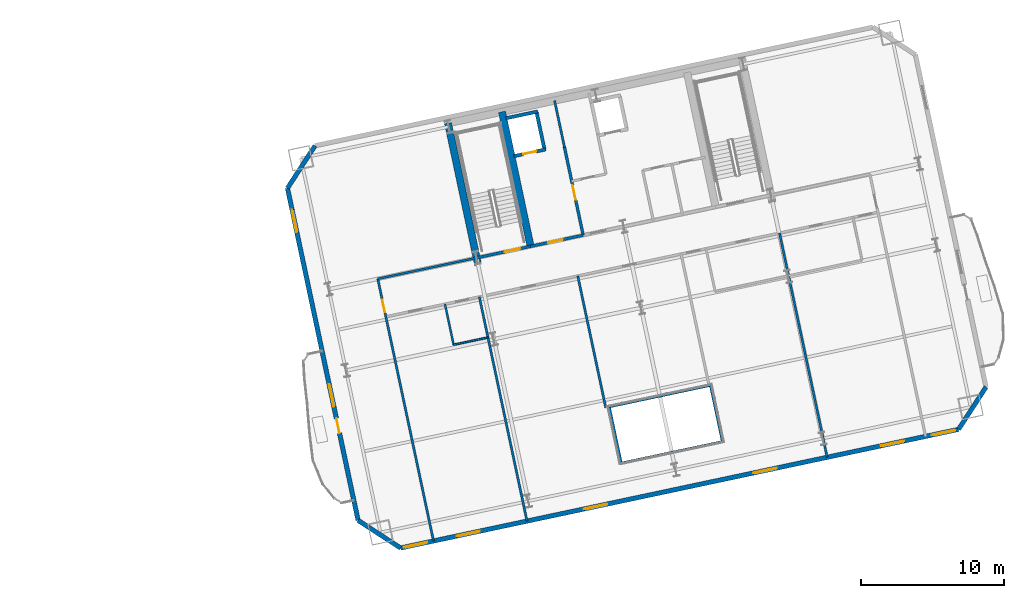
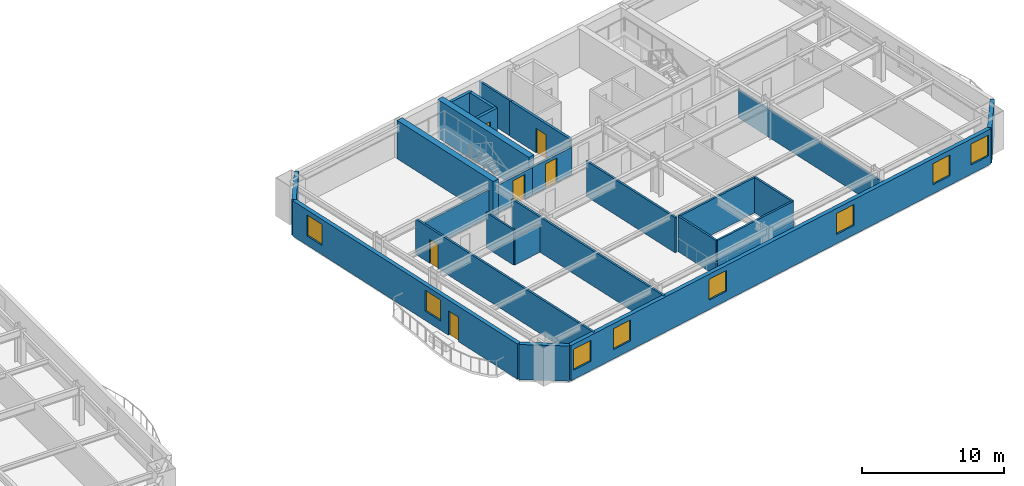
# One storey, part 7 of 14: 25 walls, 8 windows, 6 doors, 14 openings.
"""IFC4 building model written with IfcOpenShell, lengths in metres."""

from ifc_helpers import new_model, si_unit, direction, frame, frame_2d, origin, place, context, subcontext, project, spatial, rectangle, extrude, material, layer, layer_set, type_object, element, fill, save


model = new_model("IFC4")

# Units and contexts
model_context = context("Model", 3, precision=1e-05, world=origin(), true_north=direction((0.0, 1.0)))
body_context = subcontext(model_context, "Body", "Model", "MODEL_VIEW")
ifc_project = project(units=[si_unit("LENGTHUNIT", "METRE"), si_unit("AREAUNIT", "SQUARE_METRE"), si_unit("VOLUMEUNIT", "CUBIC_METRE"), si_unit("PLANEANGLEUNIT", "RADIAN"), si_unit("MASSUNIT", "GRAM", prefix="KILO")], contexts=[model_context])

# Site, building, storey
site_placement = place(None, origin())
site = spatial("IfcSite", under=ifc_project, at=site_placement, CompositionType="ELEMENT")
building_placement = place(site_placement, origin())
building = spatial("IfcBuilding", under=site, at=building_placement, Name="Haevon Station Towers", CompositionType="ELEMENT")
storey_placement = place(building_placement, frame((0.0, 0.0, 86.699951171875)))
storey = spatial("IfcBuildingStorey", under=building, at=storey_placement, Name="L22", CompositionType="ELEMENT", Elevation=86.699951171875)

# Wall, opening, door
ifc_material_1 = material(Name="Gypsum board on steel stud", Category="steel")
ifc_layer_1 = layer(ifc_material_1, 0.199951171875)
ifc_layer_set_1 = layer_set([ifc_layer_1], Name="Gypsum board on steel stud")
wall_type_1 = type_object("IfcWallType", Name="WL-COR200", PredefinedType="PARTITIONING", material=ifc_layer_set_1)
wall_1_placement = place(storey_placement, frame((98.75244140625, 37.4423828125, 0.0), z_axis=(0.0, 0.0, 1.0), x_axis=(0.978143537786, 0.207930804564, 0.0)))
wall_1 = element("IfcWall", 1, at=wall_1_placement, inside=storey, type_object=wall_type_1, Name="WL-ST-ST3-L22", PredefinedType="PARTITIONING", context=body_context, shape_type="SweptSolid", body=[
    extrude(rectangle(XDim=3.85009765625, YDim=0.199951171875, at=frame_2d((1.925048828125, 0.0))), origin(), (0.0, 0.0, 1.0), 2.380126953125),
])
opening_1_placement = place(wall_1_placement, frame((2.0, 0.0, 0.0)))
opening_1 = element("IfcOpeningElement", 2, at=opening_1_placement, cuts=wall_1, Name="Opening DR-ST-ST3-L22", PredefinedType="OPENING", context=body_context, shape_type="SweptSolid", body=[
    extrude(rectangle(XDim=1.1201171875, YDim=2.10009765625, at=frame_2d((0.56005859375, 1.050048828125))), frame((0.0, 0.10986328125, 0.0), z_axis=(0.0, -1.0, 0.0), x_axis=(1.0, 0.0, 0.0)), (0.0, 0.0, 1.0), 0.219970703125),
])
ifc_material_2 = material(Name="Engineered oak timber", Category="wood")
door_type_1 = type_object("IfcDoorType", Name="DR-ST-1120", OperationType="NOTDEFINED", PredefinedType="DOOR", material=ifc_material_2)
door_1_placement = place(opening_1_placement, origin())
door_1 = element("IfcDoor", 3, at=door_1_placement, inside=storey, type_object=door_type_1, Name="L22 Escape Stair ST3 Fire Door", OperationType="SINGLE_SWING_RIGHT", OverallHeight=2.10009765625, OverallWidth=1.1201171875, PredefinedType="DOOR", context=body_context, shape_type="SweptSolid", body=[
    extrude(rectangle(XDim=1.1201171875, YDim=2.10009765625, at=frame_2d((0.56005859375, 1.050048828125))), frame((0.0, 0.02490234375, 0.0), z_axis=(0.0, -1.0, 0.0), x_axis=(1.0, 0.0, 0.0)), (0.0, 0.0, 1.0), 0.050048828125),
])
fill(opening_1, door_1)

wall_2_placement = place(storey_placement, frame((106.186279296875, 39.0224609375, 0.0), z_axis=(0.0, 0.0, 1.0), x_axis=(-0.207916691923, 0.978146537703, 0.0)))
wall_2 = element("IfcWall", 4, at=wall_2_placement, inside=storey, type_object=wall_type_1, Name="WL-T2FFL-L22-E", PredefinedType="PARTITIONING", context=body_context, shape_type="SweptSolid", body=[
    extrude(rectangle(XDim=6.35009765625, YDim=0.199951171875, at=frame_2d((3.175048828125, 0.0))), origin(), (0.0, 0.0, 1.0), 3.030029296875),
])
opening_2_placement = place(wall_2_placement, frame((2.52001953125, 0.0, 0.0)))
opening_2 = element("IfcOpeningElement", 5, at=opening_2_placement, cuts=wall_2, Name="Opening DR-T2FFL-L22-E", PredefinedType="OPENING", context=body_context, shape_type="SweptSolid", body=[
    extrude(rectangle(XDim=1.050048828125, YDim=2.10009765625, at=frame_2d((0.52490234375, 1.050048828125))), frame((0.0, 0.10986328125, 0.0), z_axis=(0.0, -1.0, 0.0), x_axis=(1.0, 0.0, 0.0)), (0.0, 0.0, 1.0), 0.219970703125),
])
door_type_2 = type_object("IfcDoorType", Name="DR-FD60-1050", OperationType="NOTDEFINED", PredefinedType="DOOR", material=ifc_material_2)
door_2_placement = place(opening_2_placement, origin())
door_2 = element("IfcDoor", 6, at=door_2_placement, inside=storey, type_object=door_type_2, Name="L22 Tower 2 Firefighting Lift Lobby Door E", OperationType="SINGLE_SWING_RIGHT", OverallHeight=2.10009765625, OverallWidth=1.050048828125, PredefinedType="DOOR", context=body_context, shape_type="SweptSolid", body=[
    extrude(rectangle(XDim=1.050048828125, YDim=2.10009765625, at=frame_2d((0.52490234375, 1.050048828125))), frame((0.0, 0.02490234375, 0.0), z_axis=(0.0, -1.0, 0.0), x_axis=(1.0, 0.0, 0.0)), (0.0, 0.0, 1.0), 0.050048828125),
])
fill(opening_2, door_2)

wall_3_placement = place(storey_placement, frame((102.518310546875, 38.242919921875, 0.0), z_axis=(0.0, 0.0, 1.0), x_axis=(0.978153555683, 0.20788367301, 0.0)))
wall_3 = element("IfcWall", 7, at=wall_3_placement, inside=storey, type_object=wall_type_1, Name="WL-T2FFL-L22-S", PredefinedType="PARTITIONING", context=body_context, shape_type="SweptSolid", body=[
    extrude(rectangle(XDim=3.75, YDim=0.199951171875, at=frame_2d((1.875, 0.0))), origin(), (0.0, 0.0, 1.0), 2.380126953125),
])
opening_3_placement = place(wall_3_placement, frame((1.25, 0.0, 0.0)))
opening_3 = element("IfcOpeningElement", 8, at=opening_3_placement, cuts=wall_3, Name="Opening DR-T2FFL-L22-S", PredefinedType="OPENING", context=body_context, shape_type="SweptSolid", body=[
    extrude(rectangle(XDim=1.050048828125, YDim=2.10009765625, at=frame_2d((0.52490234375, 1.050048828125))), frame((0.0, 0.10986328125, 0.0), z_axis=(0.0, -1.0, 0.0), x_axis=(1.0, 0.0, 0.0)), (0.0, 0.0, 1.0), 0.219970703125),
])
door_3_placement = place(opening_3_placement, origin())
door_3 = element("IfcDoor", 9, at=door_3_placement, inside=storey, type_object=door_type_2, Name="L22 Tower 2 Firefighting Lift Lobby Door S", OperationType="SINGLE_SWING_LEFT", OverallHeight=2.10009765625, OverallWidth=1.050048828125, PredefinedType="DOOR", context=body_context, shape_type="SweptSolid", body=[
    extrude(rectangle(XDim=1.050048828125, YDim=2.10009765625, at=frame_2d((0.52490234375, 1.050048828125))), frame((0.0, 0.02490234375, 0.0), z_axis=(0.0, -1.0, 0.0), x_axis=(1.0, 0.0, 0.0)), (0.0, 0.0, 1.0), 0.050048828125),
])
fill(opening_3, door_3)

# Walls
ifc_material_3 = material(Name="Concrete C60/75", Category="concrete")
ifc_layer_2 = layer(ifc_material_3, 0.5)
ifc_layer_set_2 = layer_set([ifc_layer_2], Name="Concrete C60/75")
wall_type_2 = type_object("IfcWallType", Name="WL-CR500", PredefinedType="SHEAR", material=ifc_layer_set_2)
wall_4_placement = place(storey_placement, frame((98.8603515625, 36.933837890625, 0.0), z_axis=(0.0, 0.0, 1.0), x_axis=(-0.20790924889, 0.978148119778, 0.0)))
element("IfcWall", 10, at=wall_4_placement, inside=storey, type_object=wall_type_2, Name="WL-T2CR-L22-W", PredefinedType="SHEAR", context=body_context, shape_type="SweptSolid", body=[
    extrude(rectangle(XDim=10.119873046875, YDim=0.5, at=frame_2d((5.06005859375, 0.0))), origin(), (0.0, 0.0, 1.0), 3.300048828125),
])
wall_5_placement = place(storey_placement, frame((102.518310546875, 38.242919921875, 0.0), z_axis=(0.0, 0.0, 1.0), x_axis=(-0.207927495108, 0.978144241295, 0.0)))
element("IfcWall", 11, at=wall_5_placement, inside=storey, type_object=wall_type_2, Name="WL-T2CR-L22-M1", PredefinedType="SHEAR", context=body_context, shape_type="SweptSolid", body=[
    extrude(rectangle(XDim=9.599853515625, YDim=0.5, at=frame_2d((4.7998046875, 0.0))), origin(), (0.0, 0.0, 1.0), 3.300048828125),
])

# Wall, openings, windows
ifc_material_4 = material(Name="Precast concrete C45/55", Category="concrete")
ifc_layer_3 = layer(ifc_material_4, 0.320068359375)
ifc_layer_set_3 = layer_set([ifc_layer_3], Name="Precast concrete C45/55")
wall_type_3 = type_object("IfcWallType", Name="WL-EXT-PIER320", PredefinedType="SOLIDWALL", material=ifc_layer_set_3)
wall_6_placement = place(storey_placement, frame((132.3759765625, 25.4716796875, 0.0), z_axis=(0.0, 0.0, 1.0), x_axis=(-0.978147406386, -0.20791260515, 0.0)))
wall_6 = element("IfcWall", 12, at=wall_6_placement, inside=storey, type_object=wall_type_3, Name="WL-T2-L22-S", PredefinedType="SOLIDWALL", context=body_context, shape_type="SweptSolid", body=[
    extrude(rectangle(XDim=39.7998046875, YDim=0.320068359375, at=frame_2d((19.89990234375, 0.0))), origin(), (0.0, 0.0, 1.0), 3.030029296875),
])
opening_4_placement = place(wall_6_placement, frame((37.89990234375, 0.0, 0.800048828125)))
opening_4 = element("IfcOpeningElement", 13, at=opening_4_placement, cuts=wall_6, Name="Opening WN-P165", PredefinedType="OPENING", context=body_context, shape_type="SweptSolid", body=[
    extrude(rectangle(XDim=1.64990234375, YDim=1.800048828125, at=frame_2d((0.824951171875, 0.89990234375))), frame((0.0, 0.169921875, 0.0), z_axis=(0.0, -1.0, 0.0), x_axis=(1.0, 0.0, 0.0)), (0.0, 0.0, 1.0), 0.340087890625),
])
opening_5_placement = place(wall_6_placement, frame((0.25, 0.0, 0.800048828125)))
opening_5 = element("IfcOpeningElement", 14, at=opening_5_placement, cuts=wall_6, Name="Opening WN-P165", PredefinedType="OPENING", context=body_context, shape_type="SweptSolid", body=[
    extrude(rectangle(XDim=1.64990234375, YDim=1.800048828125, at=frame_2d((0.824951171875, 0.89990234375))), frame((0.0, 0.169921875, 0.0), z_axis=(0.0, -1.0, 0.0), x_axis=(1.0, 0.0, 0.0)), (0.0, 0.0, 1.0), 0.340087890625),
])
opening_6_placement = place(wall_6_placement, frame((34.142333984375, 0.0, 0.800048828125)))
opening_6 = element("IfcOpeningElement", 15, at=opening_6_placement, cuts=wall_6, Name="Opening WN-P165", PredefinedType="OPENING", context=body_context, shape_type="SweptSolid", body=[
    extrude(rectangle(XDim=1.64990234375, YDim=1.800048828125, at=frame_2d((0.824951171875, 0.89990234375))), frame((0.0, 0.169921875, 0.0), z_axis=(0.0, -1.0, 0.0), x_axis=(1.0, 0.0, 0.0)), (0.0, 0.0, 1.0), 0.340087890625),
])
opening_7_placement = place(wall_6_placement, frame((25.06298828125, 0.0, 0.800048828125)))
opening_7 = element("IfcOpeningElement", 16, at=opening_7_placement, cuts=wall_6, Name="Opening WN-P165", PredefinedType="OPENING", context=body_context, shape_type="SweptSolid", body=[
    extrude(rectangle(XDim=1.64990234375, YDim=1.800048828125, at=frame_2d((0.824951171875, 0.89990234375))), frame((0.0, 0.169921875, 0.0), z_axis=(0.0, -1.0, 0.0), x_axis=(1.0, 0.0, 0.0)), (0.0, 0.0, 1.0), 0.340087890625),
])
opening_8_placement = place(wall_6_placement, frame((12.97705078125, 0.0, 0.800048828125)))
opening_8 = element("IfcOpeningElement", 17, at=opening_8_placement, cuts=wall_6, Name="Opening WN-P165", PredefinedType="OPENING", context=body_context, shape_type="SweptSolid", body=[
    extrude(rectangle(XDim=1.64990234375, YDim=1.800048828125, at=frame_2d((0.824951171875, 0.89990234375))), frame((0.0, 0.169921875, 0.0), z_axis=(0.0, -1.0, 0.0), x_axis=(1.0, 0.0, 0.0)), (0.0, 0.0, 1.0), 0.340087890625),
])
opening_9_placement = place(wall_6_placement, frame((3.882568359375, 0.0, 0.800048828125)))
opening_9 = element("IfcOpeningElement", 18, at=opening_9_placement, cuts=wall_6, Name="Opening WN-P165", PredefinedType="OPENING", context=body_context, shape_type="SweptSolid", body=[
    extrude(rectangle(XDim=1.64990234375, YDim=1.800048828125, at=frame_2d((0.824951171875, 0.89990234375))), frame((0.0, 0.169921875, 0.0), z_axis=(0.0, -1.0, 0.0), x_axis=(1.0, 0.0, 0.0)), (0.0, 0.0, 1.0), 0.340087890625),
])
ifc_material_5 = material(Name="Low-E triple glazing in thermally broken aluminium", Category="aluminium")
window_type_1 = type_object("IfcWindowType", Name="WN-P165", PartitioningType="SINGLE_PANEL", PredefinedType="WINDOW", material=ifc_material_5)
window_1_placement = place(opening_4_placement, origin())
window_1 = element("IfcWindow", 19, at=window_1_placement, inside=storey, type_object=window_type_1, Name="WN-T2-L22-S01", OverallHeight=1.800048828125, OverallWidth=1.64990234375, PartitioningType="SINGLE_PANEL", PredefinedType="WINDOW", context=body_context, shape_type="SweptSolid", body=[
    extrude(rectangle(XDim=1.64990234375, YDim=1.800048828125, at=frame_2d((0.824951171875, 0.89990234375))), frame((0.0, 0.030029296875, 0.0), z_axis=(0.0, -1.0, 0.0), x_axis=(1.0, 0.0, 0.0)), (0.0, 0.0, 1.0), 0.06005859375),
])
fill(opening_4, window_1)
window_2_placement = place(opening_5_placement, origin())
window_2 = element("IfcWindow", 20, at=window_2_placement, inside=storey, type_object=window_type_1, Name="WN-T2-L22-S02", OverallHeight=1.800048828125, OverallWidth=1.64990234375, PartitioningType="SINGLE_PANEL", PredefinedType="WINDOW", context=body_context, shape_type="SweptSolid", body=[
    extrude(rectangle(XDim=1.64990234375, YDim=1.800048828125, at=frame_2d((0.824951171875, 0.89990234375))), frame((0.0, 0.030029296875, 0.0), z_axis=(0.0, -1.0, 0.0), x_axis=(1.0, 0.0, 0.0)), (0.0, 0.0, 1.0), 0.06005859375),
])
fill(opening_5, window_2)
window_3_placement = place(opening_6_placement, origin())
window_3 = element("IfcWindow", 21, at=window_3_placement, inside=storey, type_object=window_type_1, Name="WN-T2-L22-S03", OverallHeight=1.800048828125, OverallWidth=1.64990234375, PartitioningType="SINGLE_PANEL", PredefinedType="WINDOW", context=body_context, shape_type="SweptSolid", body=[
    extrude(rectangle(XDim=1.64990234375, YDim=1.800048828125, at=frame_2d((0.824951171875, 0.89990234375))), frame((0.0, 0.030029296875, 0.0), z_axis=(0.0, -1.0, 0.0), x_axis=(1.0, 0.0, 0.0)), (0.0, 0.0, 1.0), 0.06005859375),
])
fill(opening_6, window_3)
window_4_placement = place(opening_7_placement, origin())
window_4 = element("IfcWindow", 22, at=window_4_placement, inside=storey, type_object=window_type_1, Name="WN-T2-L22-S04", OverallHeight=1.800048828125, OverallWidth=1.64990234375, PartitioningType="SINGLE_PANEL", PredefinedType="WINDOW", context=body_context, shape_type="SweptSolid", body=[
    extrude(rectangle(XDim=1.64990234375, YDim=1.800048828125, at=frame_2d((0.824951171875, 0.89990234375))), frame((0.0, 0.030029296875, 0.0), z_axis=(0.0, -1.0, 0.0), x_axis=(1.0, 0.0, 0.0)), (0.0, 0.0, 1.0), 0.06005859375),
])
fill(opening_7, window_4)
window_5_placement = place(opening_8_placement, origin())
window_5 = element("IfcWindow", 23, at=window_5_placement, inside=storey, type_object=window_type_1, Name="WN-T2-L22-S05", OverallHeight=1.800048828125, OverallWidth=1.64990234375, PartitioningType="SINGLE_PANEL", PredefinedType="WINDOW", context=body_context, shape_type="SweptSolid", body=[
    extrude(rectangle(XDim=1.64990234375, YDim=1.800048828125, at=frame_2d((0.824951171875, 0.89990234375))), frame((0.0, 0.030029296875, 0.0), z_axis=(0.0, -1.0, 0.0), x_axis=(1.0, 0.0, 0.0)), (0.0, 0.0, 1.0), 0.06005859375),
])
fill(opening_8, window_5)
window_6_placement = place(opening_9_placement, origin())
window_6 = element("IfcWindow", 24, at=window_6_placement, inside=storey, type_object=window_type_1, Name="WN-T2-L22-S06", OverallHeight=1.800048828125, OverallWidth=1.64990234375, PartitioningType="SINGLE_PANEL", PredefinedType="WINDOW", context=body_context, shape_type="SweptSolid", body=[
    extrude(rectangle(XDim=1.64990234375, YDim=1.800048828125, at=frame_2d((0.824951171875, 0.89990234375))), frame((0.0, 0.030029296875, 0.0), z_axis=(0.0, -1.0, 0.0), x_axis=(1.0, 0.0, 0.0)), (0.0, 0.0, 1.0), 0.06005859375),
])
fill(opening_9, window_6)

# Wall
wall_7_placement = place(storey_placement, frame((93.44580078125, 17.19677734375, 0.0), z_axis=(0.0, 0.0, 1.0), x_axis=(-0.838692791597, 0.544604812064, 0.0)))
element("IfcWall", 25, at=wall_7_placement, inside=storey, type_object=wall_type_3, Name="WL-T2-L22-SWC", PredefinedType="SOLIDWALL", context=body_context, shape_type="SweptSolid", body=[
    extrude(rectangle(XDim=3.53564453125, YDim=0.320068359375, at=frame_2d((1.767822265625, 0.0))), origin(), (0.0, 0.0, 1.0), 3.030029296875),
])

# Wall, openings, door, windows
wall_8_placement = place(storey_placement, frame((90.48046875, 19.122314453125, 0.0), z_axis=(0.0, 0.0, 1.0), x_axis=(-0.20791074704, 0.978147801339, 0.0)))
wall_8 = element("IfcWall", 26, at=wall_8_placement, inside=storey, type_object=wall_type_3, Name="WL-T2-L22-W", PredefinedType="SOLIDWALL", context=body_context, shape_type="SweptSolid", body=[
    extrude(rectangle(XDim=23.699951171875, YDim=0.320068359375, at=frame_2d((11.85009765625, 0.0))), origin(), (0.0, 0.0, 1.0), 3.030029296875),
])
opening_10_placement = place(wall_8_placement, frame((6.22509765625, 0.0, 0.0)))
opening_10 = element("IfcOpeningElement", 27, at=opening_10_placement, cuts=wall_8, Name="Opening DR-T2-SCAL-L22-W", PredefinedType="OPENING", context=body_context, shape_type="SweptSolid", body=[
    extrude(rectangle(XDim=1.050048828125, YDim=2.10009765625, at=frame_2d((0.52490234375, 1.050048828125))), frame((0.0, 0.169921875, 0.0), z_axis=(0.0, -1.0, 0.0), x_axis=(1.0, 0.0, 0.0)), (0.0, 0.0, 1.0), 0.340087890625),
])
opening_11_placement = place(wall_8_placement, frame((8.121337890625, 0.0, 0.800048828125)))
opening_11 = element("IfcOpeningElement", 28, at=opening_11_placement, cuts=wall_8, Name="Opening WN-END160", PredefinedType="OPENING", context=body_context, shape_type="SweptSolid", body=[
    extrude(rectangle(XDim=1.60009765625, YDim=1.800048828125, at=frame_2d((0.800048828125, 0.89990234375))), frame((0.0, 0.169921875, 0.0), z_axis=(0.0, -1.0, 0.0), x_axis=(1.0, 0.0, 0.0)), (0.0, 0.0, 1.0), 0.340087890625),
])
opening_12_placement = place(wall_8_placement, frame((20.56787109375, 0.0, 0.800048828125)))
opening_12 = element("IfcOpeningElement", 29, at=opening_12_placement, cuts=wall_8, Name="Opening WN-END160", PredefinedType="OPENING", context=body_context, shape_type="SweptSolid", body=[
    extrude(rectangle(XDim=1.60009765625, YDim=1.800048828125, at=frame_2d((0.800048828125, 0.89990234375))), frame((0.0, 0.169921875, 0.0), z_axis=(0.0, -1.0, 0.0), x_axis=(1.0, 0.0, 0.0)), (0.0, 0.0, 1.0), 0.340087890625),
])
ifc_material_6 = material(Name="Thermally broken anodised aluminium and laminated safety glass", Category="aluminium")
door_type_3 = type_object("IfcDoorType", Name="DR-BALC-1050", OperationType="NOTDEFINED", PredefinedType="DOOR", material=ifc_material_6)
door_4_placement = place(opening_10_placement, origin())
door_4 = element("IfcDoor", 30, at=door_4_placement, inside=storey, type_object=door_type_3, Name="Tower 2 L22 West Scalloped Balcony Door", OperationType="SINGLE_SWING_LEFT", OverallHeight=2.10009765625, OverallWidth=1.050048828125, PredefinedType="DOOR", context=body_context, shape_type="SweptSolid", body=[
    extrude(rectangle(XDim=1.050048828125, YDim=2.10009765625, at=frame_2d((0.52490234375, 1.050048828125))), frame((0.0, 0.02490234375, 0.0), z_axis=(0.0, -1.0, 0.0), x_axis=(1.0, 0.0, 0.0)), (0.0, 0.0, 1.0), 0.050048828125),
])
fill(opening_10, door_4)
window_type_2 = type_object("IfcWindowType", Name="WN-END160", PartitioningType="SINGLE_PANEL", PredefinedType="WINDOW", material=ifc_material_5)
window_7_placement = place(opening_11_placement, origin())
window_7 = element("IfcWindow", 31, at=window_7_placement, inside=storey, type_object=window_type_2, Name="WN-T2-L22-W01", OverallHeight=1.800048828125, OverallWidth=1.60009765625, PartitioningType="SINGLE_PANEL", PredefinedType="WINDOW", context=body_context, shape_type="SweptSolid", body=[
    extrude(rectangle(XDim=1.60009765625, YDim=1.800048828125, at=frame_2d((0.800048828125, 0.89990234375))), frame((0.0, 0.030029296875, 0.0), z_axis=(0.0, -1.0, 0.0), x_axis=(1.0, 0.0, 0.0)), (0.0, 0.0, 1.0), 0.06005859375),
])
fill(opening_11, window_7)
window_8_placement = place(opening_12_placement, origin())
window_8 = element("IfcWindow", 32, at=window_8_placement, inside=storey, type_object=window_type_2, Name="WN-T2-L22-W02", OverallHeight=1.800048828125, OverallWidth=1.60009765625, PartitioningType="SINGLE_PANEL", PredefinedType="WINDOW", context=body_context, shape_type="SweptSolid", body=[
    extrude(rectangle(XDim=1.60009765625, YDim=1.800048828125, at=frame_2d((0.800048828125, 0.89990234375))), frame((0.0, 0.030029296875, 0.0), z_axis=(0.0, -1.0, 0.0), x_axis=(1.0, 0.0, 0.0)), (0.0, 0.0, 1.0), 0.06005859375),
])
fill(opening_12, window_8)

# Walls
wall_9_placement = place(storey_placement, frame((85.552978515625, 42.304443359375, 0.0), z_axis=(0.0, 0.0, 1.0), x_axis=(0.544684921471, 0.838640767148, 0.0)))
element("IfcWall", 33, at=wall_9_placement, inside=storey, type_object=wall_type_3, Name="WL-T2-L22-NWC", PredefinedType="SOLIDWALL", context=body_context, shape_type="SweptSolid", body=[
    extrude(rectangle(XDim=3.53564453125, YDim=0.320068359375, at=frame_2d((1.767822265625, 0.0))), origin(), (0.0, 0.0, 1.0), 3.030029296875),
])
wall_10_placement = place(storey_placement, frame((134.301513671875, 28.436767578125, 0.0), z_axis=(0.0, 0.0, 1.0), x_axis=(-0.544636352948, -0.838672309694, 0.0)))
element("IfcWall", 34, at=wall_10_placement, inside=storey, type_object=wall_type_3, Name="WL-T2-L22-SEC", PredefinedType="SOLIDWALL", context=body_context, shape_type="SweptSolid", body=[
    extrude(rectangle(XDim=3.535400390625, YDim=0.320068359375, at=frame_2d((1.767578125, 0.0))), origin(), (0.0, 0.0, 1.0), 3.030029296875),
])
ifc_layer_4 = layer(ifc_material_1, 0.125)
ifc_layer_set_4 = layer_set([ifc_layer_4], Name="Gypsum board on steel stud")
wall_type_4 = type_object("IfcWallType", Name="WL-PRT125", PredefinedType="PARTITIONING", material=ifc_layer_set_4)
wall_11_placement = place(storey_placement, frame((97.1474609375, 31.376220703125, 0.0), z_axis=(0.0, 0.0, 1.0), x_axis=(0.978156824814, 0.207868290196, 0.0)))
element("IfcWall", 35, at=wall_11_placement, inside=storey, type_object=wall_type_4, Name="WL-T2PT-L22-09", PredefinedType="PARTITIONING", context=body_context, shape_type="SweptSolid", body=[
    extrude(rectangle(XDim=2.449951171875, YDim=0.125, at=frame_2d((1.22509765625, 0.0))), origin(), (0.0, 0.0, 1.0), 2.380126953125),
])
ifc_layer_5 = layer(ifc_material_1, 0.139892578125)
ifc_layer_set_5 = layer_set([ifc_layer_5], Name="Gypsum board on steel stud")
wall_type_5 = type_object("IfcWallType", Name="WL-PRT140", PredefinedType="PARTITIONING", material=ifc_layer_set_5)
wall_12_placement = place(storey_placement, frame((97.1474609375, 31.376220703125, 0.0), z_axis=(0.0, 0.0, 1.0), x_axis=(-0.207855735235, 0.978159492787, 0.0)))
element("IfcWall", 36, at=wall_12_placement, inside=storey, type_object=wall_type_5, Name="WL-T2PT-L22-10", PredefinedType="PARTITIONING", context=body_context, shape_type="SweptSolid", body=[
    extrude(rectangle(XDim=2.89990234375, YDim=0.139892578125, at=frame_2d((1.449951171875, 0.0))), origin(), (0.0, 0.0, 1.0), 3.030029296875),
])
ifc_layer_6 = layer(ifc_material_1, 0.159912109375)
ifc_layer_set_6 = layer_set([ifc_layer_6], Name="Gypsum board on steel stud")
wall_type_6 = type_object("IfcWallType", Name="WL-PRT160", PredefinedType="PARTITIONING", material=ifc_layer_set_6)
wall_13_placement = place(storey_placement, frame((104.88671875, 45.135986328125, 0.0), z_axis=(0.0, 0.0, 1.0), x_axis=(-0.207846553267, 0.978161443881, 0.0)))
element("IfcWall", 37, at=wall_13_placement, inside=storey, type_object=wall_type_6, Name="WL-T2CW-L22-01", PredefinedType="PARTITIONING", context=body_context, shape_type="SweptSolid", body=[
    extrude(rectangle(XDim=3.35009765625, YDim=0.159912109375, at=frame_2d((1.675048828125, 0.0))), origin(), (0.0, 0.0, 1.0), 3.030029296875),
])
wall_14_placement = place(storey_placement, frame((91.8564453125, 35.9765625, 0.0), z_axis=(0.0, 0.0, 1.0), x_axis=(0.978146703791, 0.207915910556, 0.0)))
element("IfcWall", 38, at=wall_14_placement, inside=storey, type_object=wall_type_6, Name="WL-T2PT-L22-01", PredefinedType="PARTITIONING", context=body_context, shape_type="SweptSolid", body=[
    extrude(rectangle(XDim=7.050048828125, YDim=0.159912109375, at=frame_2d((3.52490234375, 0.0))), origin(), (0.0, 0.0, 1.0), 2.380126953125),
])

# Wall, opening, door
wall_15_placement = place(storey_placement, frame((95.744384765625, 17.685302734375, 0.0), z_axis=(0.0, 0.0, 1.0), x_axis=(-0.207912313426, 0.978147468394, 0.0)))
wall_15 = element("IfcWall", 39, at=wall_15_placement, inside=storey, type_object=wall_type_6, Name="WL-T2PT-L22-03", PredefinedType="PARTITIONING", context=body_context, shape_type="SweptSolid", body=[
    extrude(rectangle(XDim=18.699951171875, YDim=0.159912109375, at=frame_2d((9.35009765625, 0.0))), origin(), (0.0, 0.0, 1.0), 3.030029296875),
])
opening_13_placement = place(wall_15_placement, frame((16.320068359375, 0.0, 0.0)))
opening_13 = element("IfcOpeningElement", 40, at=opening_13_placement, cuts=wall_15, Name="Opening DR-WL-T2PT-L22-03-01", PredefinedType="OPENING", context=body_context, shape_type="SweptSolid", body=[
    extrude(rectangle(XDim=0.89990234375, YDim=2.050048828125, at=frame_2d((0.449951171875, 1.02490234375))), frame((0.0, 0.08984375, 0.0), z_axis=(0.0, -1.0, 0.0), x_axis=(1.0, 0.0, 0.0)), (0.0, 0.0, 1.0), 0.179931640625),
])
door_type_4 = type_object("IfcDoorType", Name="DR-INT-900", OperationType="NOTDEFINED", PredefinedType="DOOR", material=ifc_material_2)
door_5_placement = place(opening_13_placement, origin())
door_5 = element("IfcDoor", 41, at=door_5_placement, inside=storey, type_object=door_type_4, Name="L22 Tower 2 Room Door 3-1", OperationType="SINGLE_SWING_RIGHT", OverallHeight=2.050048828125, OverallWidth=0.89990234375, PredefinedType="DOOR", context=body_context, shape_type="SweptSolid", body=[
    extrude(rectangle(XDim=0.89990234375, YDim=2.050048828125, at=frame_2d((0.449951171875, 1.02490234375))), frame((0.0, 0.02490234375, 0.0), z_axis=(0.0, -1.0, 0.0), x_axis=(1.0, 0.0, 0.0)), (0.0, 0.0, 1.0), 0.050048828125),
])
fill(opening_13, door_5)

# Walls
for number, where, z_axis, x_axis, name in (
    (42, (108.848876953125, 23.12890625, 0.0), (0.0, 0.0, 1.0), (0.978151869997, 0.207891604498, 0.0), "WL-T2PT-L22-05"),
    (43, (108.017333984375, 27.04150390625, 0.0), (0.0, 0.0, 1.0), (0.978151869997, 0.207891604498, 0.0), "WL-T2PT-L22-06"),
):
    element("IfcWall", number, at=place(storey_placement, frame(where, z_axis=z_axis, x_axis=x_axis)), inside=storey, type_object=wall_type_6, Name=name, PredefinedType="PARTITIONING", context=body_context, shape_type="SweptSolid", body=[
        extrude(rectangle(XDim=7.199951171875, YDim=0.159912109375, at=frame_2d((3.60009765625, 0.0))), origin(), (0.0, 0.0, 1.0), 3.030029296875),
    ])
for number, where, z_axis, x_axis, name in (
    (44, (108.848876953125, 23.12890625, 0.0), (0.0, 0.0, 1.0), (-0.207886494942, 0.978152955943, 0.0), "WL-T2PT-L22-07"),
    (45, (115.8916015625, 24.625732421875, 0.0), (0.0, 0.0, 1.0), (-0.207886494942, 0.978152955943, 0.0), "WL-T2PT-L22-08"),
):
    element("IfcWall", number, at=place(storey_placement, frame(where, z_axis=z_axis, x_axis=x_axis)), inside=storey, type_object=wall_type_6, Name=name, PredefinedType="PARTITIONING", context=body_context, shape_type="SweptSolid", body=[
        extrude(rectangle(XDim=4.0, YDim=0.159912109375, at=frame_2d((2.0, 0.0))), origin(), (0.0, 0.0, 1.0), 3.030029296875),
    ])
wall_16_placement = place(storey_placement, frame((102.267578125, 19.07177734375, 0.0), z_axis=(0.0, 0.0, 1.0), x_axis=(-0.207915693476, 0.978146749934, 0.0)))
element("IfcWall", 46, at=wall_16_placement, inside=storey, type_object=wall_type_6, Name="WL-T2PT-L22-11", PredefinedType="PARTITIONING", context=body_context, shape_type="SweptSolid", body=[
    extrude(rectangle(XDim=16.0, YDim=0.159912109375, at=frame_2d((8.0, 0.0))), origin(), (0.0, 0.0, 1.0), 3.030029296875),
])
wall_17_placement = place(storey_placement, frame((107.761962890625, 26.987060546875, 0.0), z_axis=(0.0, 0.0, 1.0), x_axis=(-0.207909388017, 0.978148090206, 0.0)))
element("IfcWall", 47, at=wall_17_placement, inside=storey, type_object=wall_type_6, Name="WL-T2PT-L22-12", PredefinedType="PARTITIONING", context=body_context, shape_type="SweptSolid", body=[
    extrude(rectangle(XDim=9.39990234375, YDim=0.159912109375, at=frame_2d((4.699951171875, 0.0))), origin(), (0.0, 0.0, 1.0), 3.030029296875),
])
wall_18_placement = place(storey_placement, frame((123.210693359375, 23.5234375, 0.0), z_axis=(0.0, 0.0, 1.0), x_axis=(-0.207901094279, 0.978149853038, 0.0)))
element("IfcWall", 48, at=wall_18_placement, inside=storey, type_object=wall_type_6, Name="WL-T2PT-L22-17", PredefinedType="PARTITIONING", context=body_context, shape_type="SweptSolid", body=[
    extrude(rectangle(XDim=16.0, YDim=0.159912109375, at=frame_2d((8.0, 0.0))), origin(), (0.0, 0.0, 1.0), 2.380126953125),
])

# Wall, opening, door
ifc_material_7 = material(Name="Concrete C40/50", Category="concrete")
ifc_layer_7 = layer(ifc_material_7, 0.239990234375)
ifc_layer_set_7 = layer_set([ifc_layer_7], Name="Concrete C40/50")
wall_type_7 = type_object("IfcWallType", Name="WL-SHF240", PredefinedType="PARTITIONING", material=ifc_layer_set_7)
wall_19_placement = place(storey_placement, frame((101.353759765625, 44.538330078125, 0.0), z_axis=(0.0, 0.0, 1.0), x_axis=(0.978141002414, 0.207942731049, 0.0)))
wall_19 = element("IfcWall", 49, at=wall_19_placement, inside=storey, type_object=wall_type_7, Name="WL-SHF-FL2-L22", PredefinedType="PARTITIONING", context=body_context, shape_type="SweptSolid", body=[
    extrude(rectangle(XDim=2.260009765625, YDim=0.239990234375, at=frame_2d((1.1298828125, 0.0))), origin(), (0.0, 0.0, 1.0), 3.030029296875),
])
opening_14_placement = place(wall_19_placement, frame((0.655029296875, 0.0, 0.0)))
opening_14 = element("IfcOpeningElement", 50, at=opening_14_placement, cuts=wall_19, Name="Opening LD-FL2-L22", PredefinedType="OPENING", context=body_context, shape_type="SweptSolid", body=[
    extrude(rectangle(XDim=0.949951171875, YDim=2.14990234375, at=frame_2d((0.47509765625, 1.074951171875))), frame((0.0, 0.1298828125, 0.0), z_axis=(0.0, -1.0, 0.0), x_axis=(1.0, 0.0, 0.0)), (0.0, 0.0, 1.0), 0.260009765625),
])
ifc_material_8 = material(Name="Stainless steel and rated core", Category="steel")
door_type_5 = type_object("IfcDoorType", Name="LD-FL950", OperationType="SLIDING_TO_LEFT", PredefinedType="DOOR", material=ifc_material_8)
door_6_placement = place(opening_14_placement, origin())
door_6 = element("IfcDoor", 51, at=door_6_placement, inside=storey, type_object=door_type_5, Name="L22 Lift FL2 Sliding Landing Door", OperationType="SLIDING_TO_LEFT", OverallHeight=2.14990234375, OverallWidth=0.949951171875, PredefinedType="DOOR", context=body_context, shape_type="SweptSolid", body=[
    extrude(rectangle(XDim=0.949951171875, YDim=2.14990234375, at=frame_2d((0.47509765625, 1.074951171875))), frame((0.0, 0.02490234375, 0.0), z_axis=(0.0, -1.0, 0.0), x_axis=(1.0, 0.0, 0.0)), (0.0, 0.0, 1.0), 0.050048828125),
])
fill(opening_14, door_6)

# Walls
wall_20_placement = place(storey_placement, frame((100.79248046875, 47.179443359375, 0.0), z_axis=(0.0, 0.0, 1.0), x_axis=(0.978162968872, 0.207839376268, 0.0)))
element("IfcWall", 52, at=wall_20_placement, inside=storey, type_object=wall_type_7, Name="WL-SHF-FL2-L22-N", PredefinedType="PARTITIONING", context=body_context, shape_type="SweptSolid", body=[
    extrude(rectangle(XDim=2.260009765625, YDim=0.239990234375, at=frame_2d((1.1298828125, 0.0))), origin(), (0.0, 0.0, 1.0), 3.030029296875),
])
wall_21_placement = place(storey_placement, frame((103.486328125, 44.99169921875, 0.0), z_axis=(0.0, 0.0, 1.0), x_axis=(-0.207978798957, 0.978133334052, 0.0)))
element("IfcWall", 53, at=wall_21_placement, inside=storey, type_object=wall_type_7, Name="WL-SHF-FL2-L22-E", PredefinedType="PARTITIONING", context=body_context, shape_type="SweptSolid", body=[
    extrude(rectangle(XDim=2.699951171875, YDim=0.239990234375, at=frame_2d((1.35009765625, 0.0))), origin(), (0.0, 0.0, 1.0), 3.030029296875),
])

save(model, "model.ifc")
